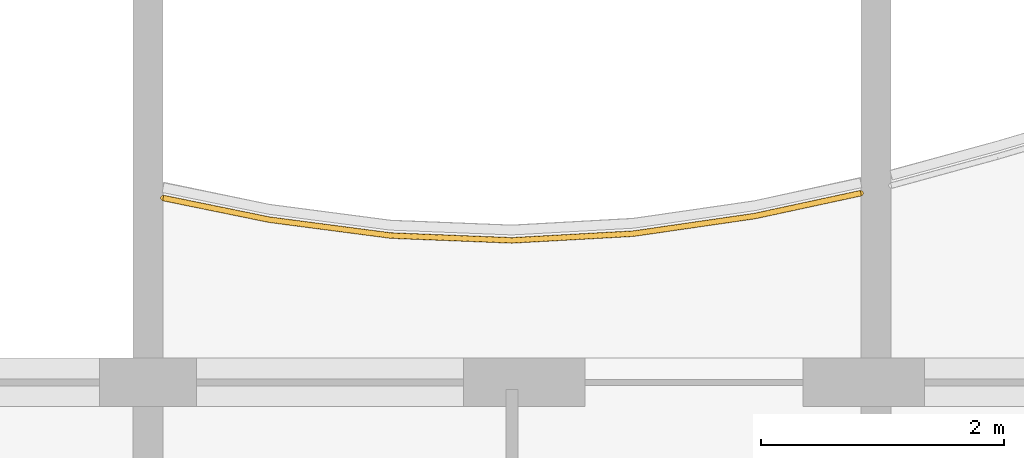
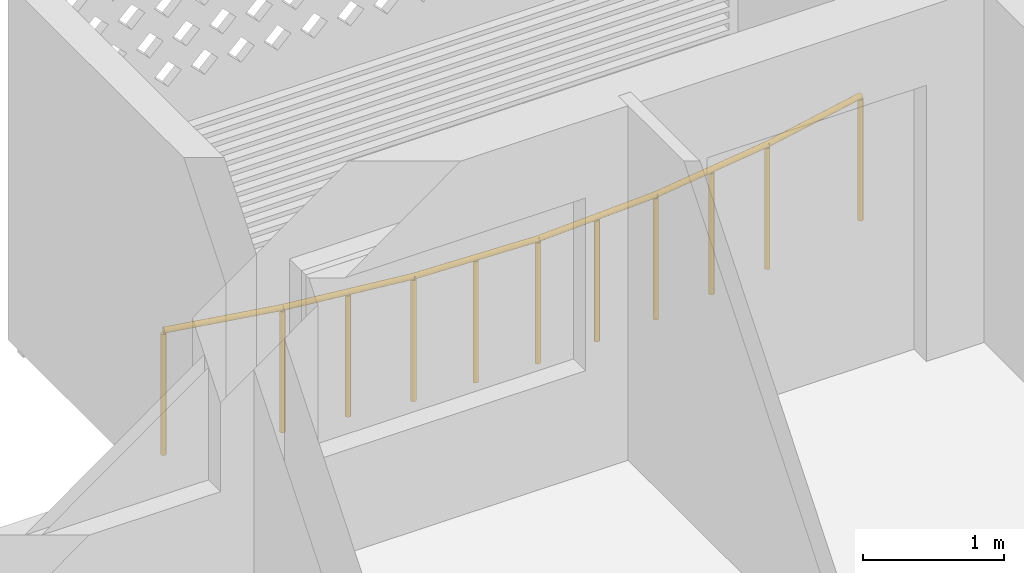
# One storey, part 19 of 26: 1 railing.
"""IFC4 building model written with IfcOpenShell, lengths in metres."""

from ifc_helpers import new_model, si_unit, direction, frame, origin, origin_2d, place, context, subcontext, project, spatial, circle, extrude, material, type_object, element, save


model = new_model("IFC4")

# Units and contexts
model_context = context("Model", 3, precision=1e-05, world=origin(), true_north=direction((0.0, 1.0)))
body_context = subcontext(model_context, "Body", "Model", "MODEL_VIEW")
ifc_project = project(units=[si_unit("LENGTHUNIT", "METRE"), si_unit("AREAUNIT", "SQUARE_METRE"), si_unit("VOLUMEUNIT", "CUBIC_METRE"), si_unit("PLANEANGLEUNIT", "RADIAN"), si_unit("MASSUNIT", "GRAM", prefix="KILO")], contexts=[model_context])

# Site, building, storey
site_placement = place(None, origin())
site = spatial("IfcSite", under=ifc_project, at=site_placement, CompositionType="ELEMENT")
building_placement = place(site_placement, origin())
building = spatial("IfcBuilding", under=site, at=building_placement, Name="Poui Terraces", CompositionType="ELEMENT")
storey_placement = place(building_placement, frame((0.0, 0.0, 175.199951171875)))
storey = spatial("IfcBuildingStorey", under=building, at=storey_placement, Name="L48", CompositionType="ELEMENT", Elevation=175.199951171875)

# Railing
ifc_material = material(Name="Painted steel fretwork", Category="steel")
railing_type = type_object("IfcRailingType", Name="BALCONY GUARD 1100", PredefinedType="GUARDRAIL", material=ifc_material)
railing_placement = place(storey_placement, frame((48.125, 42.7197265625, 0.0)))
element("IfcRailing", 1, at=railing_placement, inside=storey, type_object=railing_type, Name="BALCONY GUARD", PredefinedType="GUARDRAIL", context=body_context, shape_type="SweptSolid", body=[
    extrude(circle(Radius=0.02392578125, at=origin_2d()), frame((0.0, 0.0, 1.076171875), z_axis=(0.979773441626, -0.200109977475, 0.0), x_axis=(0.200109977475, 0.979773441626, 0.0)), (0.0, 0.0, 1.0), 0.89306640625),
    extrude(circle(Radius=0.02392578125, at=origin_2d()), frame((0.875, -0.1787109375, 1.076171875), z_axis=(0.991546329967, -0.129753133023, 0.0), x_axis=(0.129753133023, 0.991546329967, 0.0)), (0.0, 0.0, 1.0), 1.008544921875),
    extrude(circle(Radius=0.02392578125, at=origin_2d()), frame((1.875, -0.3095703125, 1.076171875), z_axis=(0.99920912132, -0.03976344892, 0.0), x_axis=(0.03976344892, 0.99920912132, 0.0)), (0.0, 0.0, 1.0), 1.000732421875),
    extrude(circle(Radius=0.02392578125, at=origin_2d()), frame((2.875, -0.349365234375, 1.076171875), z_axis=(0.998467844587, 0.055335009942, 0.0), x_axis=(-0.055335009942, 0.998467844587, 0.0)), (0.0, 0.0, 1.0), 1.00146484375),
    extrude(circle(Radius=0.02392578125, at=origin_2d()), frame((3.875, -0.2939453125, 1.076171875), z_axis=(0.989647671833, 0.143518241472, 0.0), x_axis=(-0.143518241472, 0.989647671833, 0.0)), (0.0, 0.0, 1.0), 1.010498046875),
    extrude(circle(Radius=0.02392578125, at=origin_2d()), frame((4.875, -0.14892578125, 1.076171875), z_axis=(0.977522146276, 0.210832762018, 0.0), x_axis=(-0.210832762018, 0.977522146276, 0.0)), (0.0, 0.0, 1.0), 0.89501953125),
    extrude(circle(Radius=0.02099609375, at=origin_2d()), origin(), (0.0, 0.0, 1.0), 1.052001953125),
    extrude(circle(Radius=0.02099609375, at=origin_2d()), frame((0.875, -0.1787109375, 0.0)), (0.0, 0.0, 1.0), 1.052001953125),
    extrude(circle(Radius=0.02099609375, at=origin_2d()), frame((1.375, -0.244140625, 0.0)), (0.0, 0.0, 1.0), 1.052001953125),
    extrude(circle(Radius=0.02099609375, at=origin_2d()), frame((1.875, -0.3095703125, 0.0)), (0.0, 0.0, 1.0), 1.052001953125),
    extrude(circle(Radius=0.02099609375, at=origin_2d()), frame((2.375, -0.32958984375, 0.0)), (0.0, 0.0, 1.0), 1.052001953125),
    extrude(circle(Radius=0.02099609375, at=origin_2d()), frame((2.875, -0.349365234375, 0.0)), (0.0, 0.0, 1.0), 1.052001953125),
    extrude(circle(Radius=0.02099609375, at=origin_2d()), frame((3.375, -0.32177734375, 0.0)), (0.0, 0.0, 1.0), 1.052001953125),
    extrude(circle(Radius=0.02099609375, at=origin_2d()), frame((3.875, -0.2939453125, 0.0)), (0.0, 0.0, 1.0), 1.052001953125),
    extrude(circle(Radius=0.02099609375, at=origin_2d()), frame((4.375, -0.221435546875, 0.0)), (0.0, 0.0, 1.0), 1.052001953125),
    extrude(circle(Radius=0.02099609375, at=origin_2d()), frame((4.875, -0.14892578125, 0.0)), (0.0, 0.0, 1.0), 1.052001953125),
    extrude(circle(Radius=0.02099609375, at=origin_2d()), frame((5.75, 0.039794921875, 0.0)), (0.0, 0.0, 1.0), 1.052001953125),
])

save(model, "model.ifc")
